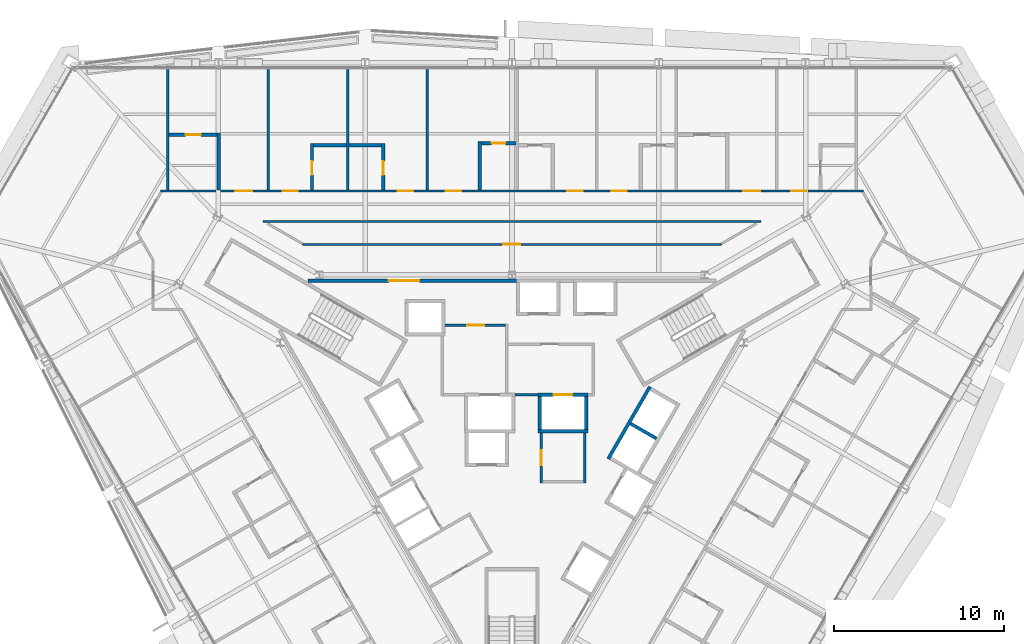
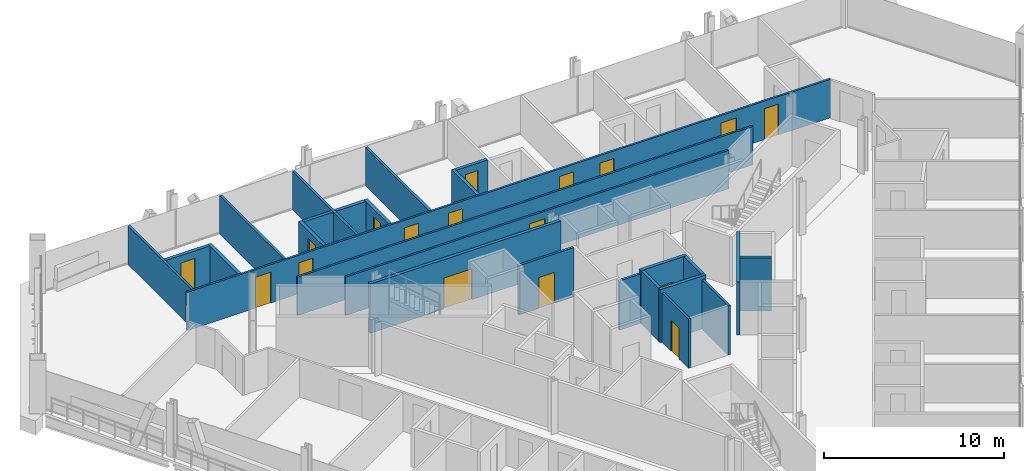
# One storey, part 14 of 18: 26 walls, 17 doors, 17 openings.
"""IFC4 building model written with IfcOpenShell, lengths in metres."""

from ifc_helpers import new_model, si_unit, direction, frame, frame_2d, origin, place, context, subcontext, project, spatial, rectangle, extrude, material, layer, layer_set, type_object, element, fill, save


model = new_model("IFC4")

# Units and contexts
model_context = context("Model", 3, precision=1e-05, world=origin(), true_north=direction((0.0, 1.0)))
body_context = subcontext(model_context, "Body", "Model", "MODEL_VIEW")
ifc_project = project(units=[si_unit("LENGTHUNIT", "METRE"), si_unit("AREAUNIT", "SQUARE_METRE"), si_unit("VOLUMEUNIT", "CUBIC_METRE"), si_unit("PLANEANGLEUNIT", "RADIAN"), si_unit("MASSUNIT", "GRAM", prefix="KILO")], contexts=[model_context])

# Site, building, storey
site_placement = place(None, origin())
site = spatial("IfcSite", under=ifc_project, at=site_placement, CompositionType="ELEMENT")
building_placement = place(site_placement, origin())
building = spatial("IfcBuilding", under=site, at=building_placement, Name="Verrane Prism Tower", CompositionType="ELEMENT")
storey_placement = place(building_placement, frame((0.0, 0.0, 80.0)))
storey = spatial("IfcBuildingStorey", under=building, at=storey_placement, Name="L18", CompositionType="ELEMENT", Elevation=80.0)

# Wall, opening, door
ifc_material_1 = material(Name="Gypsum board partition", Category="other")
ifc_layer_1 = layer(ifc_material_1, 0.199951171875)
ifc_layer_set_1 = layer_set([ifc_layer_1], Name="CW-200 core boundary wall 2 h")
wall_type_1 = type_object("IfcWallType", Name="CW-200 core boundary wall 2 h", PredefinedType="PARTITIONING", material=ifc_layer_set_1)
wall_1_placement = place(storey_placement, frame((0.262939453125, 8.860107421875, 0.0), z_axis=(0.0, 0.0, 1.0), x_axis=(-1.0, 0.0, 0.0)))
wall_1 = element("IfcWall", 1, at=wall_1_placement, inside=storey, type_object=wall_type_1, Name="Core boundary wall CW3-002", PredefinedType="PARTITIONING", context=body_context, shape_type="SweptSolid", body=[
    extrude(rectangle(XDim=12.25390625, YDim=0.199951171875, at=frame_2d((6.126953125, 0.0))), origin(), (0.0, 0.0, 1.0), 3.35009765625),
])
opening_1_placement = place(wall_1_placement, frame((5.708984375, 0.0, 0.0)))
opening_1 = element("IfcOpeningElement", 2, at=opening_1_placement, cuts=wall_1, Name="Opening D17511", PredefinedType="OPENING", context=body_context, shape_type="SweptSolid", body=[
    extrude(rectangle(XDim=1.800048828125, YDim=2.10009765625, at=frame_2d((0.89990234375, 1.050048828125))), frame((0.0, 0.10986328125, 0.0), z_axis=(0.0, -1.0, 0.0), x_axis=(1.0, 0.0, 0.0)), (0.0, 0.0, 1.0), 0.219970703125),
])
ifc_material_2 = material(Name="Timber veneered door leaf", Category="wood")
door_type_1 = type_object("IfcDoorType", Name="DR-1800x2100 FD60 double leaf lift lobby", OperationType="NOTDEFINED", PredefinedType="DOOR", material=ifc_material_2)
door_1_placement = place(opening_1_placement, origin())
door_1 = element("IfcDoor", 3, at=door_1_placement, inside=storey, type_object=door_type_1, Name="Lift lobby door D17511", OperationType="DOUBLE_DOOR_SINGLE_SWING", OverallHeight=2.10009765625, OverallWidth=1.800048828125, PredefinedType="DOOR", context=body_context, shape_type="SweptSolid", body=[
    extrude(rectangle(XDim=1.800048828125, YDim=2.10009765625, at=frame_2d((0.89990234375, 1.050048828125))), frame((0.0, 0.02490234375, 0.0), z_axis=(0.0, -1.0, 0.0), x_axis=(1.0, 0.0, 0.0)), (0.0, 0.0, 1.0), 0.050048828125),
])
fill(opening_1, door_1)

# Wall
ifc_material_3 = material(Name="Gypsum board shaft wall assembly", Category="other")
ifc_layer_2 = layer(ifc_material_3, 0.199951171875)
ifc_layer_set_2 = layer_set([ifc_layer_2], Name="HW-200 lift shaft wall 2 h")
wall_type_2 = type_object("IfcWallType", Name="HW-200 lift shaft wall 2 h", PredefinedType="PARTITIONING", material=ifc_layer_set_2)
wall_2_placement = place(storey_placement, frame((1.52490234375, 0.0, 0.0), z_axis=(0.0, 0.0, 1.0), x_axis=(1.0, 0.0, 0.0)))
element("IfcWall", 4, at=wall_2_placement, inside=storey, type_object=wall_type_2, Name="Lift shaft wall", PredefinedType="PARTITIONING", context=body_context, shape_type="SweptSolid", body=[
    extrude(rectangle(XDim=2.9501953125, YDim=0.199951171875, at=frame_2d((1.47509765625, 0.0))), origin(), (0.0, 0.0, 1.0), 3.60009765625),
])

# Wall, opening, door
wall_3_placement = place(storey_placement, frame((1.52490234375, 2.14990234375, 0.0), z_axis=(0.0, 0.0, 1.0), x_axis=(1.0, 0.0, 0.0)))
wall_3 = element("IfcWall", 5, at=wall_3_placement, inside=storey, type_object=wall_type_2, Name="Lift shaft wall", PredefinedType="PARTITIONING", context=body_context, shape_type="SweptSolid", body=[
    extrude(rectangle(XDim=2.9501953125, YDim=0.199951171875, at=frame_2d((1.47509765625, 0.0))), origin(), (0.0, 0.0, 1.0), 3.60009765625),
])
opening_2_placement = place(wall_3_placement, frame((0.925048828125, 0.0, 0.0)))
opening_2 = element("IfcOpeningElement", 6, at=opening_2_placement, cuts=wall_3, Name="Opening D17509", PredefinedType="OPENING", context=body_context, shape_type="SweptSolid", body=[
    extrude(rectangle(XDim=1.10009765625, YDim=2.10009765625, at=frame_2d((0.550048828125, 1.050048828125))), frame((0.0, 0.10986328125, 0.0), z_axis=(0.0, -1.0, 0.0), x_axis=(1.0, 0.0, 0.0)), (0.0, 0.0, 1.0), 0.219970703125),
])
ifc_material_4 = material(Name="Stainless steel sliding landing door", Category="steel")
door_type_2 = type_object("IfcDoorType", Name="LD-1100x2100 lift landing door FD90 sliding", OperationType="NOTDEFINED", PredefinedType="DOOR", material=ifc_material_4)
door_2_placement = place(opening_2_placement, origin())
door_2 = element("IfcDoor", 7, at=door_2_placement, inside=storey, type_object=door_type_2, Name="Fire service lift 2 landing door", OperationType="SLIDING_TO_RIGHT", OverallHeight=2.10009765625, OverallWidth=1.10009765625, PredefinedType="DOOR", context=body_context, shape_type="SweptSolid", body=[
    extrude(rectangle(XDim=1.10009765625, YDim=2.10009765625, at=frame_2d((0.550048828125, 1.050048828125))), frame((0.0, 0.02490234375, 0.0), z_axis=(0.0, -1.0, 0.0), x_axis=(1.0, 0.0, 0.0)), (0.0, 0.0, 1.0), 0.050048828125),
])
fill(opening_2, door_2)

# Walls
wall_4_placement = place(storey_placement, frame((5.66259765625, -1.6123046875, 0.0), z_axis=(0.0, 0.0, 1.0), x_axis=(0.49998122708, 0.866036242063, 0.0)))
element("IfcWall", 8, at=wall_4_placement, inside=storey, type_object=wall_type_2, Name="Lift shaft wall", PredefinedType="PARTITIONING", context=body_context, shape_type="SweptSolid", body=[
    extrude(rectangle(XDim=4.900146484375, YDim=0.199951171875, at=frame_2d((2.4501953125, 0.0))), origin(), (0.0, 0.0, 1.0), 3.60009765625),
])
for number, where, z_axis, x_axis, name in (
    (9, (4.375, 0.10009765625, 0.0), (0.0, 0.0, 1.0), (0.0, 1.0, 0.0), "Lift shaft wall"),
    (10, (1.625, 0.10009765625, 0.0), (0.0, 0.0, 1.0), (0.0, 1.0, 0.0), "Lift shaft wall"),
):
    element("IfcWall", number, at=place(storey_placement, frame(where, z_axis=z_axis, x_axis=x_axis)), inside=storey, type_object=wall_type_2, Name=name, PredefinedType="PARTITIONING", context=body_context, shape_type="SweptSolid", body=[
        extrude(rectangle(XDim=1.949951171875, YDim=0.199951171875, at=frame_2d((0.97509765625, 0.0))), origin(), (0.0, 0.0, 1.0), 3.60009765625),
    ])
wall_5_placement = place(storey_placement, frame((8.48974609375, -0.41552734375, 0.0), z_axis=(0.0, 0.0, 1.0), x_axis=(-0.866036909293, 0.499980071345, 0.0)))
element("IfcWall", 11, at=wall_5_placement, inside=storey, type_object=wall_type_2, Name="Lift shaft wall", PredefinedType="PARTITIONING", context=body_context, shape_type="SweptSolid", body=[
    extrude(rectangle(XDim=1.75, YDim=0.199951171875, at=frame_2d((0.875, 0.0))), origin(), (0.0, 0.0, 1.0), 3.60009765625),
])

# Wall, opening, door
ifc_material_5 = material(Name="Gypsum board partition", Category="other")
ifc_layer_3 = layer(ifc_material_5, 0.14990234375)
ifc_layer_set_3 = layer_set([ifc_layer_3], Name="LF-150 firefighting lobby wall 1 h")
wall_type_3 = type_object("IfcWallType", Name="LF-150 firefighting lobby wall 1 h", PredefinedType="PARTITIONING", material=ifc_layer_set_3)
wall_6_placement = place(storey_placement, frame((-3.93310546875, 6.239990234375, 0.0), z_axis=(0.0, 0.0, 1.0), x_axis=(1.0, 0.0, 0.0)))
wall_6 = element("IfcWall", 12, at=wall_6_placement, inside=storey, type_object=wall_type_3, Name="Firefighting lobby wall LF1-003", PredefinedType="PARTITIONING", context=body_context, shape_type="SweptSolid", body=[
    extrude(rectangle(XDim=3.5380859375, YDim=0.14990234375, at=frame_2d((1.76904296875, 0.0))), origin(), (0.0, 0.0, 1.0), 3.35009765625),
])
opening_3_placement = place(wall_6_placement, frame((1.300048828125, 0.0, 0.0)))
opening_3 = element("IfcOpeningElement", 13, at=opening_3_placement, cuts=wall_6, Name="Opening D17515", PredefinedType="OPENING", context=body_context, shape_type="SweptSolid", body=[
    extrude(rectangle(XDim=1.0, YDim=2.10009765625, at=frame_2d((0.5, 1.050048828125))), frame((0.0, 0.0849609375, 0.0), z_axis=(0.0, -1.0, 0.0), x_axis=(1.0, 0.0, 0.0)), (0.0, 0.0, 1.0), 0.169921875),
])
ifc_material_6 = material(Name="Timber veneered door leaf", Category="wood")
door_type_3 = type_object("IfcDoorType", Name="DR-1000x2100 FD60 single leaf firefighting lobby", OperationType="NOTDEFINED", PredefinedType="DOOR", material=ifc_material_6)
door_3_placement = place(opening_3_placement, origin())
door_3 = element("IfcDoor", 14, at=door_3_placement, inside=storey, type_object=door_type_3, Name="Firefighting lobby door D17515", OperationType="SINGLE_SWING_LEFT", OverallHeight=2.10009765625, OverallWidth=1.0, PredefinedType="DOOR", context=body_context, shape_type="SweptSolid", body=[
    extrude(rectangle(XDim=1.0, YDim=2.10009765625, at=frame_2d((0.5, 1.050048828125))), frame((0.0, 0.02490234375, 0.0), z_axis=(0.0, -1.0, 0.0), x_axis=(1.0, 0.0, 0.0)), (0.0, 0.0, 1.0), 0.050048828125),
])
fill(opening_3, door_3)

# Wall
wall_7_placement = place(storey_placement, frame((0.1669921875, 2.159912109375, 0.0), z_axis=(0.0, 0.0, 1.0), x_axis=(1.0, 0.0, 0.0)))
element("IfcWall", 15, at=wall_7_placement, inside=storey, type_object=wall_type_3, Name="Firefighting lobby wall LF1-006", PredefinedType="PARTITIONING", context=body_context, shape_type="SweptSolid", body=[
    extrude(rectangle(XDim=1.35595703125, YDim=0.14990234375, at=frame_2d((0.677978515625, 0.0))), origin(), (0.0, 0.0, 1.0), 3.35009765625),
])

# Wall, openings, doors
ifc_material_7 = material(Name="Gypsum board partition", Category="other")
ifc_layer_4 = layer(ifc_material_7, 0.125)
ifc_layer_set_4 = layer_set([ifc_layer_4], Name="PW-125 corridor wall 1 h")
wall_type_4 = type_object("IfcWallType", Name="PW-125 corridor wall 1 h", PredefinedType="PARTITIONING", material=ifc_layer_set_4)
wall_8_placement = place(storey_placement, frame((-20.66259765625, 14.136962890625, 0.0), z_axis=(0.0, 0.0, 1.0), x_axis=(1.0, 0.0, 0.0)))
wall_8 = element("IfcWall", 16, at=wall_8_placement, inside=storey, type_object=wall_type_4, Name="Corridor wall 008", PredefinedType="PARTITIONING", context=body_context, shape_type="SweptSolid", body=[
    extrude(rectangle(XDim=41.3251953125, YDim=0.125, at=frame_2d((20.66259765625, 0.0))), origin(), (0.0, 0.0, 1.0), 2.613037109375),
])
opening_4_placement = place(wall_8_placement, frame((37.070556640625, 0.0, 0.0)))
opening_4 = element("IfcOpeningElement", 17, at=opening_4_placement, cuts=wall_8, Name="Opening D17018", PredefinedType="OPENING", context=body_context, shape_type="SweptSolid", body=[
    extrude(rectangle(XDim=0.89990234375, YDim=2.10009765625, at=frame_2d((0.449951171875, 1.050048828125))), frame((0.0, 0.072509765625, 0.0), z_axis=(0.0, -1.0, 0.0), x_axis=(1.0, 0.0, 0.0)), (0.0, 0.0, 1.0), 0.14501953125),
])
opening_5_placement = place(wall_8_placement, frame((34.2724609375, 0.0, 0.0)))
opening_5 = element("IfcOpeningElement", 18, at=opening_5_placement, cuts=wall_8, Name="Opening D17020", PredefinedType="OPENING", context=body_context, shape_type="SweptSolid", body=[
    extrude(rectangle(XDim=1.0, YDim=2.10009765625, at=frame_2d((0.5, 1.050048828125))), frame((0.0, 0.072509765625, 0.0), z_axis=(0.0, -1.0, 0.0), x_axis=(1.0, 0.0, 0.0)), (0.0, 0.0, 1.0), 0.14501953125),
])
opening_6_placement = place(wall_8_placement, frame((26.49560546875, 0.0, 0.0)))
opening_6 = element("IfcOpeningElement", 19, at=opening_6_placement, cuts=wall_8, Name="Opening D17022", PredefinedType="OPENING", context=body_context, shape_type="SweptSolid", body=[
    extrude(rectangle(XDim=0.89990234375, YDim=2.10009765625, at=frame_2d((0.449951171875, 1.050048828125))), frame((0.0, 0.072509765625, 0.0), z_axis=(0.0, -1.0, 0.0), x_axis=(1.0, 0.0, 0.0)), (0.0, 0.0, 1.0), 0.14501953125),
])
opening_7_placement = place(wall_8_placement, frame((23.91748046875, 0.0, 0.0)))
opening_7 = element("IfcOpeningElement", 20, at=opening_7_placement, cuts=wall_8, Name="Opening D17024", PredefinedType="OPENING", context=body_context, shape_type="SweptSolid", body=[
    extrude(rectangle(XDim=0.89990234375, YDim=2.10009765625, at=frame_2d((0.449951171875, 1.050048828125))), frame((0.0, 0.072509765625, 0.0), z_axis=(0.0, -1.0, 0.0), x_axis=(1.0, 0.0, 0.0)), (0.0, 0.0, 1.0), 0.14501953125),
])
opening_8_placement = place(wall_8_placement, frame((16.779541015625, 0.0, 0.0)))
opening_8 = element("IfcOpeningElement", 21, at=opening_8_placement, cuts=wall_8, Name="Opening D17026", PredefinedType="OPENING", context=body_context, shape_type="SweptSolid", body=[
    extrude(rectangle(XDim=0.89990234375, YDim=2.10009765625, at=frame_2d((0.449951171875, 1.050048828125))), frame((0.0, 0.072509765625, 0.0), z_axis=(0.0, -1.0, 0.0), x_axis=(1.0, 0.0, 0.0)), (0.0, 0.0, 1.0), 0.14501953125),
])
opening_9_placement = place(wall_8_placement, frame((13.952392578125, 0.0, 0.0)))
opening_9 = element("IfcOpeningElement", 22, at=opening_9_placement, cuts=wall_8, Name="Opening D17028", PredefinedType="OPENING", context=body_context, shape_type="SweptSolid", body=[
    extrude(rectangle(XDim=0.89990234375, YDim=2.10009765625, at=frame_2d((0.449951171875, 1.050048828125))), frame((0.0, 0.072509765625, 0.0), z_axis=(0.0, -1.0, 0.0), x_axis=(1.0, 0.0, 0.0)), (0.0, 0.0, 1.0), 0.14501953125),
])
opening_10_placement = place(wall_8_placement, frame((7.174560546875, 0.0, 0.0)))
opening_10 = element("IfcOpeningElement", 23, at=opening_10_placement, cuts=wall_8, Name="Opening D17030", PredefinedType="OPENING", context=body_context, shape_type="SweptSolid", body=[
    extrude(rectangle(XDim=0.89990234375, YDim=2.10009765625, at=frame_2d((0.449951171875, 1.050048828125))), frame((0.0, 0.072509765625, 0.0), z_axis=(0.0, -1.0, 0.0), x_axis=(1.0, 0.0, 0.0)), (0.0, 0.0, 1.0), 0.14501953125),
])
opening_11_placement = place(wall_8_placement, frame((4.37646484375, 0.0, 0.0)))
opening_11 = element("IfcOpeningElement", 24, at=opening_11_placement, cuts=wall_8, Name="Opening D17032", PredefinedType="OPENING", context=body_context, shape_type="SweptSolid", body=[
    extrude(rectangle(XDim=1.0, YDim=2.10009765625, at=frame_2d((0.5, 1.050048828125))), frame((0.0, 0.072509765625, 0.0), z_axis=(0.0, -1.0, 0.0), x_axis=(1.0, 0.0, 0.0)), (0.0, 0.0, 1.0), 0.14501953125),
])
ifc_material_8 = material(Name="Timber veneered door leaf", Category="wood")
door_type_4 = type_object("IfcDoorType", Name="DR-1000x2100 FD20 single leaf unit", OperationType="NOTDEFINED", PredefinedType="DOOR", material=ifc_material_8)
door_4_placement = place(opening_5_placement, origin())
door_4 = element("IfcDoor", 25, at=door_4_placement, inside=storey, type_object=door_type_4, Name="Accessible Guest Room door", OperationType="SINGLE_SWING_RIGHT", OverallHeight=2.10009765625, OverallWidth=1.0, PredefinedType="DOOR", context=body_context, shape_type="SweptSolid", body=[
    extrude(rectangle(XDim=1.0, YDim=2.10009765625, at=frame_2d((0.5, 1.050048828125))), frame((0.0, 0.02490234375, 0.0), z_axis=(0.0, -1.0, 0.0), x_axis=(1.0, 0.0, 0.0)), (0.0, 0.0, 1.0), 0.050048828125),
])
fill(opening_5, door_4)
door_5_placement = place(opening_11_placement, origin())
door_5 = element("IfcDoor", 26, at=door_5_placement, inside=storey, type_object=door_type_4, Name="Accessible Guest Room door", OperationType="SINGLE_SWING_RIGHT", OverallHeight=2.10009765625, OverallWidth=1.0, PredefinedType="DOOR", context=body_context, shape_type="SweptSolid", body=[
    extrude(rectangle(XDim=1.0, YDim=2.10009765625, at=frame_2d((0.5, 1.050048828125))), frame((0.0, 0.02490234375, 0.0), z_axis=(0.0, -1.0, 0.0), x_axis=(1.0, 0.0, 0.0)), (0.0, 0.0, 1.0), 0.050048828125),
])
fill(opening_11, door_5)
ifc_material_9 = material(Name="Timber veneered door leaf", Category="wood")
door_type_5 = type_object("IfcDoorType", Name="DR-900x2100 FD20 single leaf unit", OperationType="NOTDEFINED", PredefinedType="DOOR", material=ifc_material_9)
door_6_placement = place(opening_4_placement, origin())
door_6 = element("IfcDoor", 27, at=door_6_placement, inside=storey, type_object=door_type_5, Name="Guest Room door", OperationType="SINGLE_SWING_RIGHT", OverallHeight=2.10009765625, OverallWidth=0.89990234375, PredefinedType="DOOR", context=body_context, shape_type="SweptSolid", body=[
    extrude(rectangle(XDim=0.89990234375, YDim=2.10009765625, at=frame_2d((0.449951171875, 1.050048828125))), frame((0.0, 0.02490234375, 0.0), z_axis=(0.0, -1.0, 0.0), x_axis=(1.0, 0.0, 0.0)), (0.0, 0.0, 1.0), 0.050048828125),
])
fill(opening_4, door_6)
door_7_placement = place(opening_6_placement, origin())
door_7 = element("IfcDoor", 28, at=door_7_placement, inside=storey, type_object=door_type_5, Name="Guest Room door", OperationType="SINGLE_SWING_RIGHT", OverallHeight=2.10009765625, OverallWidth=0.89990234375, PredefinedType="DOOR", context=body_context, shape_type="SweptSolid", body=[
    extrude(rectangle(XDim=0.89990234375, YDim=2.10009765625, at=frame_2d((0.449951171875, 1.050048828125))), frame((0.0, 0.02490234375, 0.0), z_axis=(0.0, -1.0, 0.0), x_axis=(1.0, 0.0, 0.0)), (0.0, 0.0, 1.0), 0.050048828125),
])
fill(opening_6, door_7)
door_8_placement = place(opening_7_placement, origin())
door_8 = element("IfcDoor", 29, at=door_8_placement, inside=storey, type_object=door_type_5, Name="Guest Room door", OperationType="SINGLE_SWING_RIGHT", OverallHeight=2.10009765625, OverallWidth=0.89990234375, PredefinedType="DOOR", context=body_context, shape_type="SweptSolid", body=[
    extrude(rectangle(XDim=0.89990234375, YDim=2.10009765625, at=frame_2d((0.449951171875, 1.050048828125))), frame((0.0, 0.02490234375, 0.0), z_axis=(0.0, -1.0, 0.0), x_axis=(1.0, 0.0, 0.0)), (0.0, 0.0, 1.0), 0.050048828125),
])
fill(opening_7, door_8)
door_9_placement = place(opening_8_placement, origin())
door_9 = element("IfcDoor", 30, at=door_9_placement, inside=storey, type_object=door_type_5, Name="Guest Room door", OperationType="SINGLE_SWING_RIGHT", OverallHeight=2.10009765625, OverallWidth=0.89990234375, PredefinedType="DOOR", context=body_context, shape_type="SweptSolid", body=[
    extrude(rectangle(XDim=0.89990234375, YDim=2.10009765625, at=frame_2d((0.449951171875, 1.050048828125))), frame((0.0, 0.02490234375, 0.0), z_axis=(0.0, -1.0, 0.0), x_axis=(1.0, 0.0, 0.0)), (0.0, 0.0, 1.0), 0.050048828125),
])
fill(opening_8, door_9)
door_10_placement = place(opening_9_placement, origin())
door_10 = element("IfcDoor", 31, at=door_10_placement, inside=storey, type_object=door_type_5, Name="Guest Room door", OperationType="SINGLE_SWING_RIGHT", OverallHeight=2.10009765625, OverallWidth=0.89990234375, PredefinedType="DOOR", context=body_context, shape_type="SweptSolid", body=[
    extrude(rectangle(XDim=0.89990234375, YDim=2.10009765625, at=frame_2d((0.449951171875, 1.050048828125))), frame((0.0, 0.02490234375, 0.0), z_axis=(0.0, -1.0, 0.0), x_axis=(1.0, 0.0, 0.0)), (0.0, 0.0, 1.0), 0.050048828125),
])
fill(opening_9, door_10)
door_11_placement = place(opening_10_placement, origin())
door_11 = element("IfcDoor", 32, at=door_11_placement, inside=storey, type_object=door_type_5, Name="Guest Room door", OperationType="SINGLE_SWING_RIGHT", OverallHeight=2.10009765625, OverallWidth=0.89990234375, PredefinedType="DOOR", context=body_context, shape_type="SweptSolid", body=[
    extrude(rectangle(XDim=0.89990234375, YDim=2.10009765625, at=frame_2d((0.449951171875, 1.050048828125))), frame((0.0, 0.02490234375, 0.0), z_axis=(0.0, -1.0, 0.0), x_axis=(1.0, 0.0, 0.0)), (0.0, 0.0, 1.0), 0.050048828125),
])
fill(opening_10, door_11)

# Wall
wall_9_placement = place(storey_placement, frame((-14.631591796875, 12.3369140625, 0.0), z_axis=(0.0, 0.0, 1.0), x_axis=(1.0, 0.0, 0.0)))
element("IfcWall", 33, at=wall_9_placement, inside=storey, type_object=wall_type_4, Name="Corridor wall 020", PredefinedType="PARTITIONING", context=body_context, shape_type="SweptSolid", body=[
    extrude(rectangle(XDim=29.26318359375, YDim=0.125, at=frame_2d((14.631591796875, 0.0))), origin(), (0.0, 0.0, 1.0), 2.613037109375),
])

# Wall, opening, door
wall_10_placement = place(storey_placement, frame((-12.3154296875, 11.0, 0.0), z_axis=(0.0, 0.0, 1.0), x_axis=(1.0, 0.0, 0.0)))
wall_10 = element("IfcWall", 34, at=wall_10_placement, inside=storey, type_object=wall_type_4, Name="Corridor wall 024", PredefinedType="PARTITIONING", context=body_context, shape_type="SweptSolid", body=[
    extrude(rectangle(XDim=24.630859375, YDim=0.125, at=frame_2d((12.3154296875, 0.0))), origin(), (0.0, 0.0, 1.0), 2.613037109375),
])
opening_12_placement = place(wall_10_placement, frame((11.8125, 0.0, 0.0)))
opening_12 = element("IfcOpeningElement", 35, at=opening_12_placement, cuts=wall_10, Name="Opening D17050", PredefinedType="OPENING", context=body_context, shape_type="SweptSolid", body=[
    extrude(rectangle(XDim=1.0, YDim=2.10009765625, at=frame_2d((0.5, 1.050048828125))), frame((0.0, 0.072509765625, 0.0), z_axis=(0.0, -1.0, 0.0), x_axis=(1.0, 0.0, 0.0)), (0.0, 0.0, 1.0), 0.14501953125),
])
ifc_material_10 = material(Name="Timber veneered door leaf", Category="wood")
door_type_6 = type_object("IfcDoorType", Name="DR-1000x2100 FD20 single leaf service", OperationType="NOTDEFINED", PredefinedType="DOOR", material=ifc_material_10)
door_12_placement = place(opening_12_placement, origin())
door_12 = element("IfcDoor", 36, at=door_12_placement, inside=storey, type_object=door_type_6, Name="Meeting Store door", OperationType="SINGLE_SWING_RIGHT", OverallHeight=2.10009765625, OverallWidth=1.0, PredefinedType="DOOR", context=body_context, shape_type="SweptSolid", body=[
    extrude(rectangle(XDim=1.0, YDim=2.10009765625, at=frame_2d((0.5, 1.050048828125))), frame((0.0, 0.02490234375, 0.0), z_axis=(0.0, -1.0, 0.0), x_axis=(1.0, 0.0, 0.0)), (0.0, 0.0, 1.0), 0.050048828125),
])
fill(opening_12, door_12)

# Walls
ifc_material_11 = material(Name="Gypsum board partition", Category="other")
ifc_layer_5 = layer(ifc_material_11, 0.14990234375)
ifc_layer_set_5 = layer_set([ifc_layer_5], Name="PW-150 demising wall 1 h")
wall_type_5 = type_object("IfcWallType", Name="PW-150 demising wall 1 h", PredefinedType="PARTITIONING", material=ifc_layer_set_5)
for number, where, z_axis, x_axis, name in (
    (37, (-20.236083984375, 14.199462890625, 0.0), (0.0, 0.0, 1.0), (0.0, 1.0, 0.0), "Demising wall 009"),
    (38, (-14.337890625, 14.199462890625, 0.0), (0.0, 0.0, 1.0), (0.0, 1.0, 0.0), "Demising wall 021"),
    (39, (-9.659912109375, 14.199462890625, 0.0), (0.0, 0.0, 1.0), (0.0, 1.0, 0.0), "Demising wall 031"),
    (40, (-4.98291015625, 14.199462890625, 0.0), (0.0, 0.0, 1.0), (0.0, 1.0, 0.0), "Demising wall 040"),
):
    element("IfcWall", number, at=place(storey_placement, frame(where, z_axis=z_axis, x_axis=x_axis)), inside=storey, type_object=wall_type_5, Name=name, PredefinedType="PARTITIONING", context=body_context, shape_type="SweptSolid", body=[
        extrude(rectangle(XDim=7.095458984375, YDim=0.14990234375, at=frame_2d((3.5478515625, 0.0))), origin(), (0.0, 0.0, 1.0), 2.613037109375),
    ])

# Wall, opening, door
ifc_material_12 = material(Name="Gypsum board partition", Category="other")
ifc_layer_6 = layer(ifc_material_12, 0.199951171875)
ifc_layer_set_6 = layer_set([ifc_layer_6], Name="PW-200 plumbing wall")
wall_type_6 = type_object("IfcWallType", Name="PW-200 plumbing wall", PredefinedType="PARTITIONING", material=ifc_layer_set_6)
wall_11_placement = place(storey_placement, frame((-17.3359375, 17.43701171875, 0.0), z_axis=(0.0, 0.0, 1.0), x_axis=(-1.0, 0.0, 0.0)))
wall_11 = element("IfcWall", 41, at=wall_11_placement, inside=storey, type_object=wall_type_6, Name="Plumbing wall 010", PredefinedType="PARTITIONING", context=body_context, shape_type="SweptSolid", body=[
    extrude(rectangle(XDim=2.824951171875, YDim=0.199951171875, at=frame_2d((1.41259765625, 0.0))), origin(), (0.0, 0.0, 1.0), 2.613037109375),
])
opening_13_placement = place(wall_11_placement, frame((0.949951171875, 0.0, 0.0)))
opening_13 = element("IfcOpeningElement", 42, at=opening_13_placement, cuts=wall_11, Name="Opening D17033", PredefinedType="OPENING", context=body_context, shape_type="SweptSolid", body=[
    extrude(rectangle(XDim=0.89990234375, YDim=2.10009765625, at=frame_2d((0.449951171875, 1.050048828125))), frame((0.0, 0.10986328125, 0.0), z_axis=(0.0, -1.0, 0.0), x_axis=(1.0, 0.0, 0.0)), (0.0, 0.0, 1.0), 0.219970703125),
])
ifc_material_13 = material(Name="Timber veneered door leaf", Category="wood")
door_type_7 = type_object("IfcDoorType", Name="DR-900x2100 single leaf bath", OperationType="NOTDEFINED", PredefinedType="DOOR", material=ifc_material_13)
door_13_placement = place(opening_13_placement, origin())
door_13 = element("IfcDoor", 43, at=door_13_placement, inside=storey, type_object=door_type_7, Name="En-Suite door", OperationType="SINGLE_SWING_RIGHT", OverallHeight=2.10009765625, OverallWidth=0.89990234375, PredefinedType="DOOR", context=body_context, shape_type="SweptSolid", body=[
    extrude(rectangle(XDim=0.89990234375, YDim=2.10009765625, at=frame_2d((0.449951171875, 1.050048828125))), frame((0.0, 0.02490234375, 0.0), z_axis=(0.0, -1.0, 0.0), x_axis=(1.0, 0.0, 0.0)), (0.0, 0.0, 1.0), 0.050048828125),
])
fill(opening_13, door_13)

# Wall
wall_12_placement = place(storey_placement, frame((-17.236083984375, 14.199462890625, 0.0), z_axis=(0.0, 0.0, 1.0), x_axis=(0.0, 1.0, 0.0)))
element("IfcWall", 44, at=wall_12_placement, inside=storey, type_object=wall_type_6, Name="Plumbing wall 014", PredefinedType="PARTITIONING", context=body_context, shape_type="SweptSolid", body=[
    extrude(rectangle(XDim=3.337646484375, YDim=0.199951171875, at=frame_2d((1.6689453125, 0.0))), origin(), (0.0, 0.0, 1.0), 2.613037109375),
])

# Wall, opening, door
wall_13_placement = place(storey_placement, frame((-11.760009765625, 16.93701171875, 0.0), z_axis=(0.0, 0.0, 1.0), x_axis=(0.0, -1.0, 0.0)))
wall_13 = element("IfcWall", 45, at=wall_13_placement, inside=storey, type_object=wall_type_6, Name="Plumbing wall 025", PredefinedType="PARTITIONING", context=body_context, shape_type="SweptSolid", body=[
    extrude(rectangle(XDim=2.737548828125, YDim=0.199951171875, at=frame_2d((1.36865234375, 0.0))), origin(), (0.0, 0.0, 1.0), 2.613037109375),
])
opening_14_placement = place(wall_13_placement, frame((1.050048828125, 0.0, 0.0)))
opening_14 = element("IfcOpeningElement", 46, at=opening_14_placement, cuts=wall_13, Name="Opening D17031", PredefinedType="OPENING", context=body_context, shape_type="SweptSolid", body=[
    extrude(rectangle(XDim=0.800048828125, YDim=2.10009765625, at=frame_2d((0.39990234375, 1.050048828125))), frame((0.0, 0.10986328125, 0.0), z_axis=(0.0, -1.0, 0.0), x_axis=(1.0, 0.0, 0.0)), (0.0, 0.0, 1.0), 0.219970703125),
])
ifc_material_14 = material(Name="Timber veneered door leaf", Category="wood")
door_type_8 = type_object("IfcDoorType", Name="DR-800x2100 single leaf bath", OperationType="NOTDEFINED", PredefinedType="DOOR", material=ifc_material_14)
door_14_placement = place(opening_14_placement, origin())
door_14 = element("IfcDoor", 47, at=door_14_placement, inside=storey, type_object=door_type_8, Name="En-Suite door", OperationType="SINGLE_SWING_RIGHT", OverallHeight=2.10009765625, OverallWidth=0.800048828125, PredefinedType="DOOR", context=body_context, shape_type="SweptSolid", body=[
    extrude(rectangle(XDim=0.800048828125, YDim=2.10009765625, at=frame_2d((0.39990234375, 1.050048828125))), frame((0.0, 0.02490234375, 0.0), z_axis=(0.0, -1.0, 0.0), x_axis=(1.0, 0.0, 0.0)), (0.0, 0.0, 1.0), 0.050048828125),
])
fill(opening_14, door_14)

# Walls
wall_14_placement = place(storey_placement, frame((-11.659912109375, 16.8369140625, 0.0), z_axis=(0.0, 0.0, 1.0), x_axis=(1.0, 0.0, 0.0)))
element("IfcWall", 48, at=wall_14_placement, inside=storey, type_object=wall_type_6, Name="Plumbing wall 026", PredefinedType="PARTITIONING", context=body_context, shape_type="SweptSolid", body=[
    extrude(rectangle(XDim=1.919921875, YDim=0.199951171875, at=frame_2d((0.9599609375, 0.0))), origin(), (0.0, 0.0, 1.0), 2.613037109375),
])
wall_15_placement = place(storey_placement, frame((-9.580078125, 16.8369140625, 0.0), z_axis=(0.0, 0.0, 1.0), x_axis=(1.0, 0.0, 0.0)))
element("IfcWall", 49, at=wall_15_placement, inside=storey, type_object=wall_type_6, Name="Plumbing wall 032", PredefinedType="PARTITIONING", context=body_context, shape_type="SweptSolid", body=[
    extrude(rectangle(XDim=1.920166015625, YDim=0.199951171875, at=frame_2d((0.9599609375, 0.0))), origin(), (0.0, 0.0, 1.0), 2.613037109375),
])

# Wall, opening, door
wall_16_placement = place(storey_placement, frame((-7.56005859375, 14.199462890625, 0.0), z_axis=(0.0, 0.0, 1.0), x_axis=(0.0, 1.0, 0.0)))
wall_16 = element("IfcWall", 50, at=wall_16_placement, inside=storey, type_object=wall_type_6, Name="Plumbing wall 037", PredefinedType="PARTITIONING", context=body_context, shape_type="SweptSolid", body=[
    extrude(rectangle(XDim=2.737548828125, YDim=0.199951171875, at=frame_2d((1.36865234375, 0.0))), origin(), (0.0, 0.0, 1.0), 2.613037109375),
])
opening_15_placement = place(wall_16_placement, frame((0.887451171875, 0.0, 0.0)))
opening_15 = element("IfcOpeningElement", 51, at=opening_15_placement, cuts=wall_16, Name="Opening D17029", PredefinedType="OPENING", context=body_context, shape_type="SweptSolid", body=[
    extrude(rectangle(XDim=0.800048828125, YDim=2.10009765625, at=frame_2d((0.39990234375, 1.050048828125))), frame((0.0, 0.10986328125, 0.0), z_axis=(0.0, -1.0, 0.0), x_axis=(1.0, 0.0, 0.0)), (0.0, 0.0, 1.0), 0.219970703125),
])
door_15_placement = place(opening_15_placement, origin())
door_15 = element("IfcDoor", 52, at=door_15_placement, inside=storey, type_object=door_type_8, Name="En-Suite door", OperationType="SINGLE_SWING_LEFT", OverallHeight=2.10009765625, OverallWidth=0.800048828125, PredefinedType="DOOR", context=body_context, shape_type="SweptSolid", body=[
    extrude(rectangle(XDim=0.800048828125, YDim=2.10009765625, at=frame_2d((0.39990234375, 1.050048828125))), frame((0.0, 0.02490234375, 0.0), z_axis=(0.0, -1.0, 0.0), x_axis=(1.0, 0.0, 0.0)), (0.0, 0.0, 1.0), 0.050048828125),
])
fill(opening_15, door_15)

# Wall
wall_17_placement = place(storey_placement, frame((-1.89501953125, 14.199462890625, 0.0), z_axis=(0.0, 0.0, 1.0), x_axis=(0.0, 1.0, 0.0)))
element("IfcWall", 53, at=wall_17_placement, inside=storey, type_object=wall_type_6, Name="Plumbing wall 044", PredefinedType="PARTITIONING", context=body_context, shape_type="SweptSolid", body=[
    extrude(rectangle(XDim=2.837646484375, YDim=0.199951171875, at=frame_2d((1.4189453125, 0.0))), origin(), (0.0, 0.0, 1.0), 2.613037109375),
])

# Wall, opening, door
wall_18_placement = place(storey_placement, frame((0.22998046875, 16.93701171875, 0.0), z_axis=(0.0, 0.0, 1.0), x_axis=(-1.0, 0.0, 0.0)))
wall_18 = element("IfcWall", 54, at=wall_18_placement, inside=storey, type_object=wall_type_6, Name="Plumbing wall 045", PredefinedType="PARTITIONING", context=body_context, shape_type="SweptSolid", body=[
    extrude(rectangle(XDim=2.02490234375, YDim=0.199951171875, at=frame_2d((1.012451171875, 0.0))), origin(), (0.0, 0.0, 1.0), 2.613037109375),
])
opening_16_placement = place(wall_18_placement, frame((0.625, 0.0, 0.0)))
opening_16 = element("IfcOpeningElement", 55, at=opening_16_placement, cuts=wall_18, Name="Opening D17027", PredefinedType="OPENING", context=body_context, shape_type="SweptSolid", body=[
    extrude(rectangle(XDim=0.800048828125, YDim=2.10009765625, at=frame_2d((0.39990234375, 1.050048828125))), frame((0.0, 0.10986328125, 0.0), z_axis=(0.0, -1.0, 0.0), x_axis=(1.0, 0.0, 0.0)), (0.0, 0.0, 1.0), 0.219970703125),
])
door_16_placement = place(opening_16_placement, origin())
door_16 = element("IfcDoor", 56, at=door_16_placement, inside=storey, type_object=door_type_8, Name="En-Suite door", OperationType="SINGLE_SWING_RIGHT", OverallHeight=2.10009765625, OverallWidth=0.800048828125, PredefinedType="DOOR", context=body_context, shape_type="SweptSolid", body=[
    extrude(rectangle(XDim=0.800048828125, YDim=2.10009765625, at=frame_2d((0.39990234375, 1.050048828125))), frame((0.0, 0.02490234375, 0.0), z_axis=(0.0, -1.0, 0.0), x_axis=(1.0, 0.0, 0.0)), (0.0, 0.0, 1.0), 0.050048828125),
])
fill(opening_16, door_16)

ifc_material_15 = material(Name="Gypsum board partition", Category="other")
ifc_layer_7 = layer(ifc_material_15, 0.14990234375)
ifc_layer_set_7 = layer_set([ifc_layer_7], Name="RS-150 riser enclosure wall 1 h")
wall_type_7 = type_object("IfcWallType", Name="RS-150 riser enclosure wall 1 h", PredefinedType="PARTITIONING", material=ifc_layer_set_7)
wall_19_placement = place(storey_placement, frame((1.72509765625, -0.10205078125, 0.0), z_axis=(0.0, 0.0, 1.0), x_axis=(0.0, -1.0, 0.0)))
wall_19 = element("IfcWall", 57, at=wall_19_placement, inside=storey, type_object=wall_type_7, Name="Riser wall RS3-007", PredefinedType="PARTITIONING", context=body_context, shape_type="SweptSolid", body=[
    extrude(rectangle(XDim=2.9228515625, YDim=0.14990234375, at=frame_2d((1.46142578125, 0.0))), origin(), (0.0, 0.0, 1.0), 3.35009765625),
])
opening_17_placement = place(wall_19_placement, frame((0.998046875, 0.0, 0.0)))
opening_17 = element("IfcOpeningElement", 58, at=opening_17_placement, cuts=wall_19, Name="Opening D17518", PredefinedType="OPENING", context=body_context, shape_type="SweptSolid", body=[
    extrude(rectangle(XDim=0.89990234375, YDim=2.10009765625, at=frame_2d((0.449951171875, 1.050048828125))), frame((0.0, 0.0849609375, 0.0), z_axis=(0.0, -1.0, 0.0), x_axis=(1.0, 0.0, 0.0)), (0.0, 0.0, 1.0), 0.169921875),
])
ifc_material_16 = material(Name="Timber veneered door leaf", Category="wood")
door_type_9 = type_object("IfcDoorType", Name="DR-900x2100 FD20 single leaf store", OperationType="NOTDEFINED", PredefinedType="DOOR", material=ifc_material_16)
door_17_placement = place(opening_17_placement, origin())
door_17 = element("IfcDoor", 59, at=door_17_placement, inside=storey, type_object=door_type_9, Name="Room door D17518", OperationType="SINGLE_SWING_LEFT", OverallHeight=2.10009765625, OverallWidth=0.89990234375, PredefinedType="DOOR", context=body_context, shape_type="SweptSolid", body=[
    extrude(rectangle(XDim=0.89990234375, YDim=2.10009765625, at=frame_2d((0.449951171875, 1.050048828125))), frame((0.0, 0.02490234375, 0.0), z_axis=(0.0, -1.0, 0.0), x_axis=(1.0, 0.0, 0.0)), (0.0, 0.0, 1.0), 0.050048828125),
])
fill(opening_17, door_17)

# Wall
wall_20_placement = place(storey_placement, frame((4.27490234375, -3.02490234375, 0.0), z_axis=(0.0, 0.0, 1.0), x_axis=(0.0, 1.0, 0.0)))
element("IfcWall", 60, at=wall_20_placement, inside=storey, type_object=wall_type_7, Name="Riser wall RS3-009", PredefinedType="PARTITIONING", context=body_context, shape_type="SweptSolid", body=[
    extrude(rectangle(XDim=2.9228515625, YDim=0.14990234375, at=frame_2d((1.46142578125, 0.0))), origin(), (0.0, 0.0, 1.0), 3.35009765625),
])

save(model, "model.ifc")
